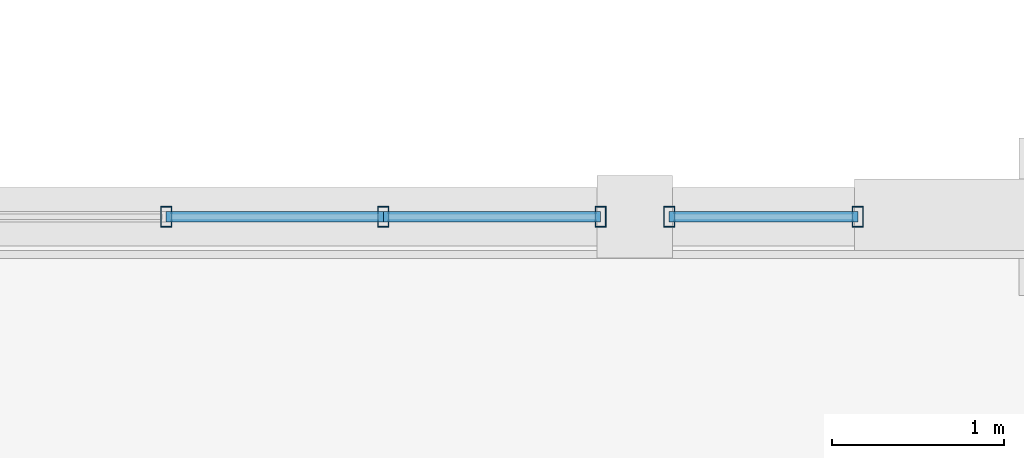
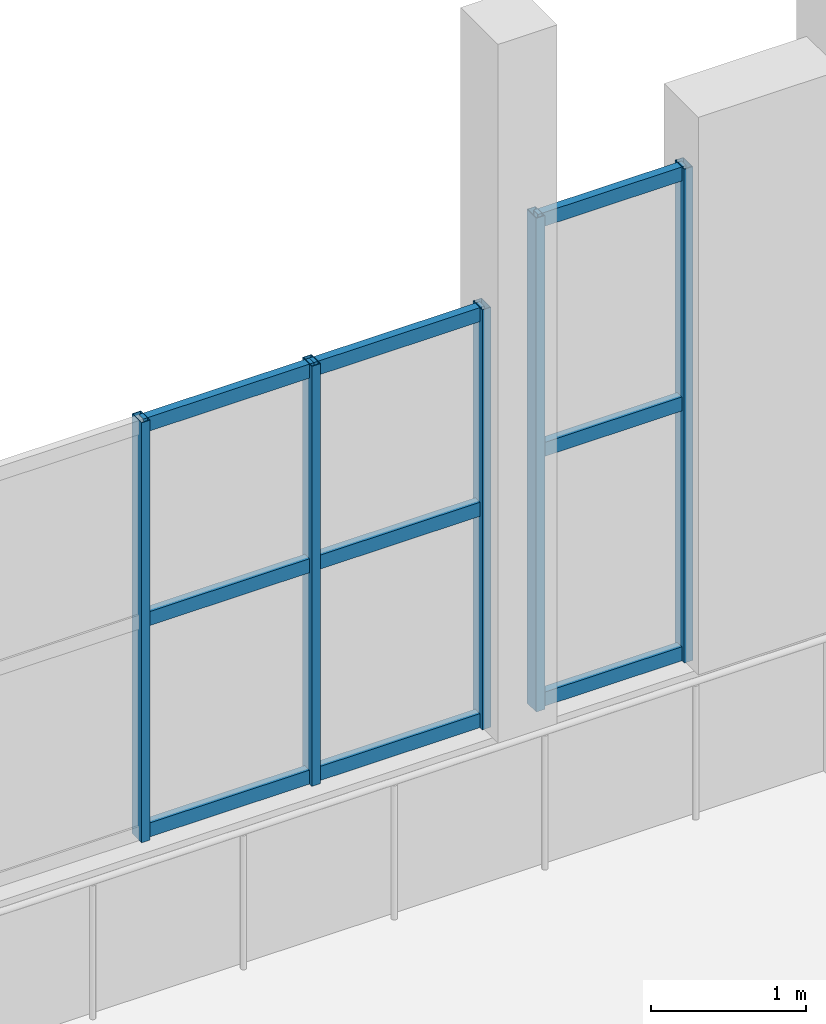
# One storey, part 19 of 46: 14 members, 2 elements without a shape of their own.
"""IFC4 building model written with IfcOpenShell, lengths in metres."""

from ifc_helpers import new_model, si_unit, direction, frame, origin, origin_2d, place, context, subcontext, project, spatial, hollow_rectangle, extrude, material, material_profile, profile_set, type_object, element, aggregate, save


model = new_model("IFC4")

# Units and contexts
model_context = context("Model", 3, precision=1e-05, world=origin(), true_north=direction((0.0, 1.0)))
body_context = subcontext(model_context, "Body", "Model", "MODEL_VIEW")
ifc_project = project(units=[si_unit("LENGTHUNIT", "METRE"), si_unit("AREAUNIT", "SQUARE_METRE"), si_unit("VOLUMEUNIT", "CUBIC_METRE"), si_unit("PLANEANGLEUNIT", "RADIAN"), si_unit("MASSUNIT", "GRAM", prefix="KILO")], contexts=[model_context])

# Site, building, storey
site_placement = place(None, origin())
site = spatial("IfcSite", under=ifc_project, at=site_placement, CompositionType="ELEMENT")
building_placement = place(site_placement, origin())
building = spatial("IfcBuilding", under=site, at=building_placement, Name="Mavantir Sound Aquarium", CompositionType="ELEMENT")
storey_placement = place(building_placement, frame((0.0, 0.0, 15.300048828125)))
storey = spatial("IfcBuildingStorey", under=building, at=storey_placement, Name="L03", CompositionType="ELEMENT", Elevation=15.300048828125)

# Curtain wall, members
ifc_material_1 = material(Name="Anodised Marine Aluminium and Low-E Glass", Category="aluminium")
curtain_wall_type_1 = type_object("IfcCurtainWallType", Name="CW-T07", PredefinedType="USERDEFINED", material=ifc_material_1)
curtain_wall_1_placement = place(storey_placement, origin())
curtain_wall_1 = element("IfcCurtainWall", 1, at=curtain_wall_1_placement, inside=storey, type_object=curtain_wall_type_1, Name="L03 unitised curtain wall CW-07 174", ObjectType="UNITISED GLAZING", PredefinedType="USERDEFINED")
ifc_material_2 = material(Name="Anodised Marine Aluminium 6063-T6", Category="aluminium")
ifc_material_profile_1 = material_profile(ifc_material_2, hollow_rectangle(XDim=0.06494140625, YDim=0.1201171875, WallThickness=0.00390625, at=origin_2d()), Name="ALU-MULLION-120X65")
ifc_profile_set_1 = profile_set([ifc_material_profile_1], Name="Anodised Marine Aluminium 6063-T6")
member_type_1 = type_object("IfcMemberType", Name="CW-MUL-120", PredefinedType="MULLION", material=ifc_profile_set_1)
member_1_placement = place(storey_placement, frame((160.166748046875, 65.800048828125, 1.119873046875), z_axis=(0.0, 0.0, 1.0), x_axis=(1.0, 0.0, 0.0)))
member_1 = element("IfcMember", 2, at=member_1_placement, type_object=member_type_1, Name="CW-DIOC-6N-C vertical mullion 2", PredefinedType="MULLION", context=body_context, shape_type="SweptSolid", body=[
    extrude(hollow_rectangle(XDim=0.06494140625, YDim=0.1201171875, WallThickness=0.00390625, at=origin_2d()), origin(), (0.0, 0.0, 1.0), 3.300048828125),
])
member_2_placement = place(storey_placement, frame((161.433349609375, 65.800048828125, 1.119873046875), z_axis=(0.0, 0.0, 1.0), x_axis=(1.0, 0.0, 0.0)))
member_2 = element("IfcMember", 3, at=member_2_placement, type_object=member_type_1, Name="CW-DIOC-6N-C vertical mullion 3", PredefinedType="MULLION", context=body_context, shape_type="SweptSolid", body=[
    extrude(hollow_rectangle(XDim=0.06494140625, YDim=0.1201171875, WallThickness=0.00390625, at=origin_2d()), origin(), (0.0, 0.0, 1.0), 3.300048828125),
])
member_3_placement = place(storey_placement, frame((162.699951171875, 65.800048828125, 1.119873046875), z_axis=(0.0, 0.0, 1.0), x_axis=(1.0, 0.0, 0.0)))
member_3 = element("IfcMember", 4, at=member_3_placement, type_object=member_type_1, Name="CW-DIOC-6N-C vertical mullion 4", PredefinedType="MULLION", context=body_context, shape_type="SweptSolid", body=[
    extrude(hollow_rectangle(XDim=0.06494140625, YDim=0.1201171875, WallThickness=0.00390625, at=origin_2d()), origin(), (0.0, 0.0, 1.0), 3.300048828125),
])

curtain_wall_type_2 = type_object("IfcCurtainWallType", Name="CW-T09", PredefinedType="USERDEFINED", material=ifc_material_1)
curtain_wall_2_placement = place(storey_placement, origin())
curtain_wall_2 = element("IfcCurtainWall", 5, at=curtain_wall_2_placement, inside=storey, type_object=curtain_wall_type_2, Name="L03 unitised curtain wall CW-09 176", ObjectType="UNITISED GLAZING", PredefinedType="USERDEFINED")
member_4_placement = place(storey_placement, frame((163.10009765625, 65.800048828125, 1.119873046875), z_axis=(0.0, 0.0, 1.0), x_axis=(1.0, 0.0, 0.0)))
member_4 = element("IfcMember", 6, at=member_4_placement, type_object=member_type_1, Name="CW-DIOC-6N-R vertical mullion 1", PredefinedType="MULLION", context=body_context, shape_type="SweptSolid", body=[
    extrude(hollow_rectangle(XDim=0.06494140625, YDim=0.1201171875, WallThickness=0.00390625, at=origin_2d()), origin(), (0.0, 0.0, 1.0), 3.880126953125),
])
member_5_placement = place(storey_placement, frame((164.199951171875, 65.800048828125, 1.119873046875), z_axis=(0.0, 0.0, 1.0), x_axis=(1.0, 0.0, 0.0)))
member_5 = element("IfcMember", 7, at=member_5_placement, type_object=member_type_1, Name="CW-DIOC-6N-R vertical mullion 2", PredefinedType="MULLION", context=body_context, shape_type="SweptSolid", body=[
    extrude(hollow_rectangle(XDim=0.06494140625, YDim=0.1201171875, WallThickness=0.00390625, at=origin_2d()), origin(), (0.0, 0.0, 1.0), 3.880126953125),
])

# Member
ifc_material_profile_2 = material_profile(ifc_material_2, hollow_rectangle(XDim=0.06005859375, YDim=0.110107421875, WallThickness=0.00390625, at=origin_2d()), Name="ALU-TRANSOM-110X60")
ifc_profile_set_2 = profile_set([ifc_material_profile_2], Name="Anodised Marine Aluminium 6063-T6")
member_type_2 = type_object("IfcMemberType", Name="CW-TRN-110", PredefinedType="USERDEFINED", material=ifc_profile_set_2)
member_6_placement = place(storey_placement, frame((160.166748046875, 65.800048828125, 1.175048828125), z_axis=(1.0, 0.0, 0.0), x_axis=(0.0, 1.0, 0.0)))
member_6 = element("IfcMember", 8, at=member_6_placement, type_object=member_type_2, Name="CW-DIOC-6N-C transom 2.1", ObjectType="TRANSOM", PredefinedType="USERDEFINED", context=body_context, shape_type="SweptSolid", body=[
    extrude(hollow_rectangle(XDim=0.06005859375, YDim=0.110107421875, WallThickness=0.00390625, at=origin_2d()), origin(), (0.0, 0.0, 1.0), 1.2666015625),
])

member_7_placement = place(storey_placement, frame((160.166748046875, 65.800048828125, 2.8359375), z_axis=(1.0, 0.0, 0.0), x_axis=(0.0, 1.0, 0.0)))
member_7 = element("IfcMember", 9, at=member_7_placement, type_object=member_type_2, Name="CW-DIOC-6N-C transom 2.2", ObjectType="TRANSOM", PredefinedType="USERDEFINED", context=body_context, shape_type="SweptSolid", body=[
    extrude(hollow_rectangle(XDim=0.06005859375, YDim=0.110107421875, WallThickness=0.00390625, at=origin_2d()), origin(), (0.0, 0.0, 1.0), 1.2666015625),
])

member_8_placement = place(storey_placement, frame((160.166748046875, 65.800048828125, 4.364990234375), z_axis=(1.0, 0.0, 0.0), x_axis=(0.0, 1.0, 0.0)))
member_8 = element("IfcMember", 10, at=member_8_placement, type_object=member_type_2, Name="CW-DIOC-6N-C transom 2.3", ObjectType="TRANSOM", PredefinedType="USERDEFINED", context=body_context, shape_type="SweptSolid", body=[
    extrude(hollow_rectangle(XDim=0.06005859375, YDim=0.110107421875, WallThickness=0.00390625, at=origin_2d()), origin(), (0.0, 0.0, 1.0), 1.2666015625),
])

member_9_placement = place(storey_placement, frame((161.433349609375, 65.800048828125, 1.175048828125), z_axis=(1.0, 0.0, 0.0), x_axis=(0.0, 1.0, 0.0)))
member_9 = element("IfcMember", 11, at=member_9_placement, type_object=member_type_2, Name="CW-DIOC-6N-C transom 3.1", ObjectType="TRANSOM", PredefinedType="USERDEFINED", context=body_context, shape_type="SweptSolid", body=[
    extrude(hollow_rectangle(XDim=0.06005859375, YDim=0.110107421875, WallThickness=0.00390625, at=origin_2d()), origin(), (0.0, 0.0, 1.0), 1.2666015625),
])

member_10_placement = place(storey_placement, frame((161.433349609375, 65.800048828125, 2.8359375), z_axis=(1.0, 0.0, 0.0), x_axis=(0.0, 1.0, 0.0)))
member_10 = element("IfcMember", 12, at=member_10_placement, type_object=member_type_2, Name="CW-DIOC-6N-C transom 3.2", ObjectType="TRANSOM", PredefinedType="USERDEFINED", context=body_context, shape_type="SweptSolid", body=[
    extrude(hollow_rectangle(XDim=0.06005859375, YDim=0.110107421875, WallThickness=0.00390625, at=origin_2d()), origin(), (0.0, 0.0, 1.0), 1.2666015625),
])

member_11_placement = place(storey_placement, frame((161.433349609375, 65.800048828125, 4.364990234375), z_axis=(1.0, 0.0, 0.0), x_axis=(0.0, 1.0, 0.0)))
member_11 = element("IfcMember", 13, at=member_11_placement, type_object=member_type_2, Name="CW-DIOC-6N-C transom 3.3", ObjectType="TRANSOM", PredefinedType="USERDEFINED", context=body_context, shape_type="SweptSolid", body=[
    extrude(hollow_rectangle(XDim=0.06005859375, YDim=0.110107421875, WallThickness=0.00390625, at=origin_2d()), origin(), (0.0, 0.0, 1.0), 1.2666015625),
])

aggregate(curtain_wall_1, [member_1, member_2, member_3, member_6, member_7, member_8, member_9, member_10, member_11])

member_12_placement = place(storey_placement, frame((163.10009765625, 65.800048828125, 1.175048828125), z_axis=(1.0, 0.0, 0.0), x_axis=(0.0, 1.0, 0.0)))
member_12 = element("IfcMember", 14, at=member_12_placement, type_object=member_type_2, Name="CW-DIOC-6N-R transom 1.1", ObjectType="TRANSOM", PredefinedType="USERDEFINED", context=body_context, shape_type="SweptSolid", body=[
    extrude(hollow_rectangle(XDim=0.06005859375, YDim=0.110107421875, WallThickness=0.00390625, at=origin_2d()), origin(), (0.0, 0.0, 1.0), 1.099853515625),
])

member_13_placement = place(storey_placement, frame((163.10009765625, 65.800048828125, 3.137451171875), z_axis=(1.0, 0.0, 0.0), x_axis=(0.0, 1.0, 0.0)))
member_13 = element("IfcMember", 15, at=member_13_placement, type_object=member_type_2, Name="CW-DIOC-6N-R transom 1.2", ObjectType="TRANSOM", PredefinedType="USERDEFINED", context=body_context, shape_type="SweptSolid", body=[
    extrude(hollow_rectangle(XDim=0.06005859375, YDim=0.110107421875, WallThickness=0.00390625, at=origin_2d()), origin(), (0.0, 0.0, 1.0), 1.099853515625),
])

member_14_placement = place(storey_placement, frame((163.10009765625, 65.800048828125, 4.945068359375), z_axis=(1.0, 0.0, 0.0), x_axis=(0.0, 1.0, 0.0)))
member_14 = element("IfcMember", 16, at=member_14_placement, type_object=member_type_2, Name="CW-DIOC-6N-R transom 1.3", ObjectType="TRANSOM", PredefinedType="USERDEFINED", context=body_context, shape_type="SweptSolid", body=[
    extrude(hollow_rectangle(XDim=0.06005859375, YDim=0.110107421875, WallThickness=0.00390625, at=origin_2d()), origin(), (0.0, 0.0, 1.0), 1.099853515625),
])

aggregate(curtain_wall_2, [member_4, member_5, member_12, member_13, member_14])

save(model, "model.ifc")
